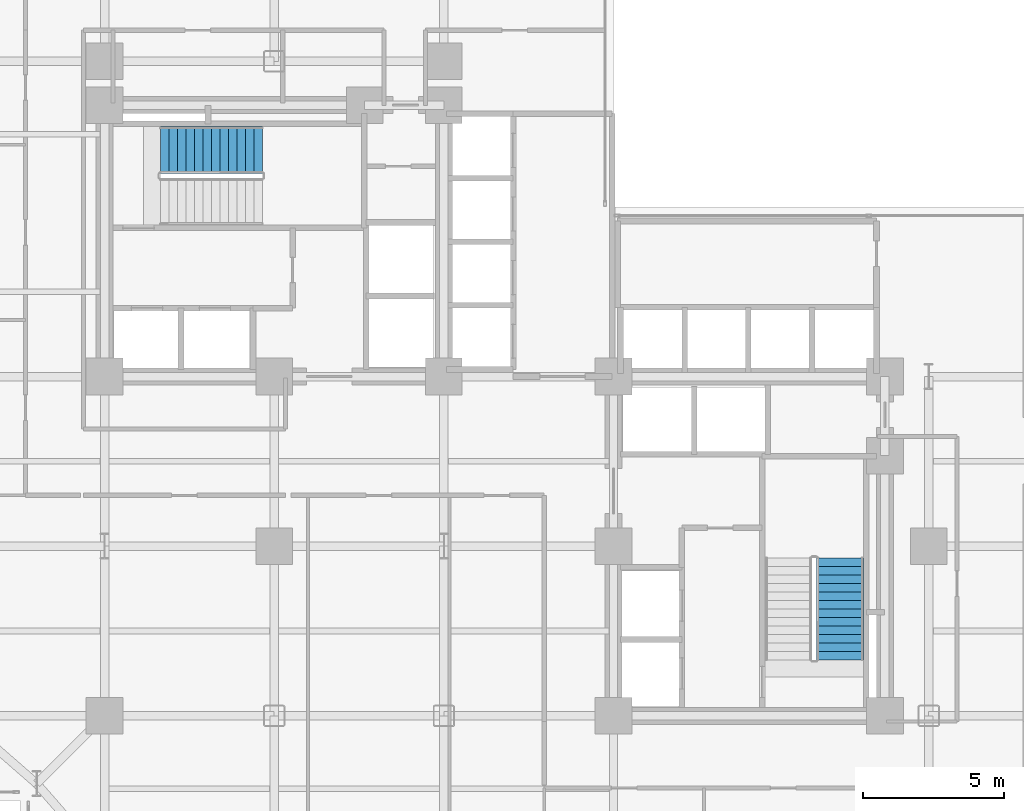
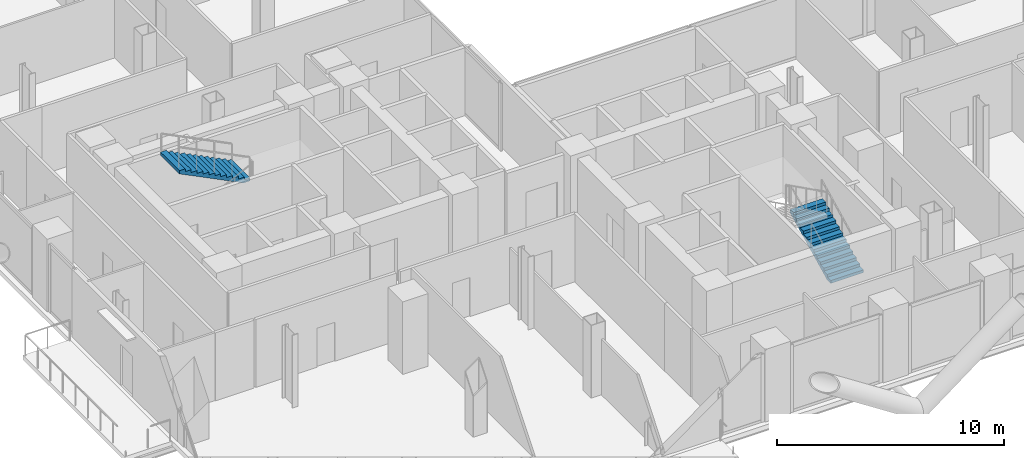
# One storey, part 23 of 25: 2 stair flights, 2 elements without a shape of their own.
"""IFC4 building model written with IfcOpenShell, lengths in metres."""

import ifcopenshell
import ifcopenshell.guid

model = None  # the IFC model being written
_history = None  # IfcOwnerHistory: only IFC2X3 demands one
_inside = {}  # id of a spatial element -> (the spatial element, [elements in it])
_under = {}  # id of a project, library or spatial element -> (it, [spatial elements below it])
_declared = {}  # id of a project -> (the project, [libraries it declares])
_typed = {}  # id of a type object -> (the type object, [elements of that type])
_made_of = {}  # id of a material, layer set ... -> (it, [elements and type objects made of it])


def new_model(schema):
    """Start an empty IFC model of exactly this schema.

    Asked for "IFC4X3", IfcOpenShell would pick the latest addendum, in which some entities
    have other attributes; the version numbers below select the first issue.
    IFC2X3 requires an IfcOwnerHistory on every rooted entity: one is made here for all.
    """
    global model, _history
    if schema == "IFC4X3":
        model = ifcopenshell.file(schema_version=(4, 3, 0, 0))
    else:
        model = ifcopenshell.file(schema=schema)
    _inside.clear()
    _under.clear()
    _declared.clear()
    _typed.clear()
    _made_of.clear()
    _history = None
    if model.schema == "IFC2X3":
        org = make("IfcOrganization", Name="unknown")
        user = make(
            "IfcPersonAndOrganization",
            ThePerson=make("IfcPerson", FamilyName="unknown"),
            TheOrganization=org,
        )
        app = make(
            "IfcApplication",
            ApplicationDeveloper=org,
            Version="unknown",
            ApplicationFullName="unknown",
            ApplicationIdentifier="unknown",
        )
        _history = make(
            "IfcOwnerHistory",
            OwningUser=user,
            OwningApplication=app,
            ChangeAction="ADDED",
            CreationDate=0,
        )
    return model


def make(cls, **values):
    """One entity of the class cls with the attributes given. An attribute that is None is left unset."""
    return model.create_entity(
        cls, **{name: value for name, value in values.items() if value is not None}
    )


def rooted(cls, **values):
    """An entity with a GlobalId (a new one), such as an element, a storey or a relation."""
    return make(cls, GlobalId=ifcopenshell.guid.new(), OwnerHistory=_history, **values)


def si_unit(unit_type, name, prefix=None):
    """IfcSIUnit, for example si_unit("LENGTHUNIT", "METRE", prefix="MILLI")."""
    return make("IfcSIUnit", UnitType=unit_type, Prefix=prefix, Name=name)


def assignment(units):
    """IfcUnitAssignment: the units of a project."""
    return None if units is None else make("IfcUnitAssignment", Units=units)


def point(xyz):
    """IfcCartesianPoint."""
    return None if xyz is None else make("IfcCartesianPoint", Coordinates=xyz)


def direction(xyz):
    """IfcDirection."""
    return None if xyz is None else make("IfcDirection", DirectionRatios=xyz)


def frame(location, z_axis=None, x_axis=None):
    """IfcAxis2Placement3D, a coordinate frame: its origin and axes. An axis left out is left unset."""
    return make(
        "IfcAxis2Placement3D",
        Location=point(location),
        Axis=direction(z_axis),
        RefDirection=direction(x_axis),
    )


def origin():
    """The frame at (0, 0, 0) with its axes left unset."""
    return frame((0.0, 0.0, 0.0))


def place(relative_to, where):
    """IfcLocalPlacement: puts the frame where relative to a parent placement (None: the world)."""
    return make(
        "IfcLocalPlacement", PlacementRelTo=relative_to, RelativePlacement=where
    )


def context(
    kind, dimensions, precision=None, world=None, true_north=None, identifier=None
):
    """IfcGeometricRepresentationContext, for example the 3D "Model" context."""
    return make(
        "IfcGeometricRepresentationContext",
        ContextIdentifier=identifier,
        ContextType=kind,
        CoordinateSpaceDimension=dimensions,
        Precision=precision,
        WorldCoordinateSystem=world,
        TrueNorth=true_north,
    )


def subcontext(parent, identifier, kind, view, scale=None):
    """IfcGeometricRepresentationSubContext, for example "Body" below "Model"."""
    return make(
        "IfcGeometricRepresentationSubContext",
        ContextIdentifier=identifier,
        ContextType=kind,
        ParentContext=parent,
        TargetScale=scale,
        TargetView=view,
    )


def project(units=None, contexts=None):
    """IfcProject with its units and contexts."""
    return rooted(
        "IfcProject",
        Name="project",
        RepresentationContexts=contexts,
        UnitsInContext=assignment(units),
    )


def spatial(cls, under=None, at=None, **own):
    """A site, building, storey or space (cls), placed at a placement, below another one or the project."""
    s = rooted(cls, ObjectPlacement=at, **own)
    if under is not None:
        _under.setdefault(under.id(), (under, []))[1].append(s)
    return s


def polyline(points):
    """IfcPolyline through the points."""
    return make("IfcPolyline", Points=[point(p) for p in points])


def outline(outer, holes=None, kind="AREA"):
    """IfcArbitraryClosedProfileDef: a profile drawn as a closed curve; with holes, ...WithVoids."""
    if holes is None:
        return make("IfcArbitraryClosedProfileDef", ProfileType=kind, OuterCurve=outer)
    return make(
        "IfcArbitraryProfileDefWithVoids",
        ProfileType=kind,
        OuterCurve=outer,
        InnerCurves=holes,
    )


def extrude(swept, where, along, depth):
    """IfcExtrudedAreaSolid: the profile swept, set in the frame where, extruded along a direction by depth."""
    return make(
        "IfcExtrudedAreaSolid",
        SweptArea=swept,
        Position=where,
        ExtrudedDirection=direction(along),
        Depth=depth,
    )


def shape(context_of_items, identifier, shape_type, items):
    """IfcShapeRepresentation: the items that make up one representation, for example the "Body"."""
    return make(
        "IfcShapeRepresentation",
        ContextOfItems=context_of_items,
        RepresentationIdentifier=identifier,
        RepresentationType=shape_type,
        Items=items,
    )


def material(Name=None, Category=None):
    """IfcMaterial."""
    return make("IfcMaterial", Name=Name, Category=Category)


def made_of(thing, what):
    """Note that an element or type object is made of a material, layer set ...; save() writes the relation."""
    if what is not None:
        _made_of.setdefault(what.id(), (what, []))[1].append(thing)
    return thing


def type_object(cls, material=None, **own):
    """A type object (cls), such as IfcWallType, which elements share."""
    return made_of(rooted(cls, **own), material)


def element(
    cls,
    number,
    at=None,
    inside=None,
    cuts=None,
    type_object=None,
    material=None,
    context=None,
    identifier="Body",
    shape_type=None,
    held_by="IfcProductDefinitionShape",
    body=None,
    shapes=None,
    **own,
):
    """One element of the class cls, such as IfcWall. Its Tag is "e" and its number.

    at: its placement. inside: the storey or other place that contains it. cuts: it is an
    opening in that element (IfcRelVoidsElement). A single representation is given by context,
    identifier, shape_type and body (its items); several are given by shapes. held_by: the class
    of the entity that holds the representations. save() writes the other relations.
    """
    e = rooted(cls, Tag="e%d" % number, ObjectPlacement=at, **own)
    if body is not None:
        shapes = [shape(context, identifier, shape_type, body)]
    if shapes is not None:
        e.Representation = make(held_by, Representations=shapes)
    if inside is not None:
        _inside.setdefault(inside.id(), (inside, []))[1].append(e)
    if cuts is not None:
        rooted(
            "IfcRelVoidsElement", RelatingBuildingElement=cuts, RelatedOpeningElement=e
        )
    if type_object is not None:
        _typed.setdefault(type_object.id(), (type_object, []))[1].append(e)
    return made_of(e, material)


def aggregate(whole, parts):
    """IfcRelAggregates: a whole, such as a stair, and the parts it consists of."""
    return rooted("IfcRelAggregates", RelatingObject=whole, RelatedObjects=parts)


def save(model, path):
    """Write the relations noted so far, then the file.

    IfcRelAggregates (storeys below a building ...), IfcRelContainedInSpatialStructure (elements
    in a storey), IfcRelDefinesByType, IfcRelAssociatesMaterial and IfcRelDeclares: one each for
    every whole, place, type object, material and project.
    """
    for whole, parts in _under.values():
        aggregate(whole, parts)
    for where, things in _inside.values():
        rooted(
            "IfcRelContainedInSpatialStructure",
            RelatedElements=things,
            RelatingStructure=where,
        )
    for kind, things in _typed.values():
        rooted("IfcRelDefinesByType", RelatedObjects=things, RelatingType=kind)
    for what, things in _made_of.values():
        rooted("IfcRelAssociatesMaterial", RelatedObjects=things, RelatingMaterial=what)
    for by, libraries in _declared.values():
        rooted("IfcRelDeclares", RelatingContext=by, RelatedDefinitions=libraries)
    model.write(path)


model = new_model("IFC4")

# Units and contexts
model_context = context("Model", 3, precision=1e-05, world=origin(), true_north=direction((0.0, 1.0)))
body_context = subcontext(model_context, "Body", "Model", "MODEL_VIEW")
ifc_project = project(units=[si_unit("LENGTHUNIT", "METRE"), si_unit("AREAUNIT", "SQUARE_METRE"), si_unit("VOLUMEUNIT", "CUBIC_METRE"), si_unit("PLANEANGLEUNIT", "RADIAN"), si_unit("MASSUNIT", "GRAM", prefix="KILO"), si_unit("THERMODYNAMICTEMPERATUREUNIT", "KELVIN"), si_unit("POWERUNIT", "WATT")], contexts=[model_context])

# Site, building, storey
site_placement = place(None, origin())
site = spatial("IfcSite", under=ifc_project, at=site_placement, CompositionType="ELEMENT")
building_placement = place(site_placement, origin())
building = spatial("IfcBuilding", under=site, at=building_placement, Name="Svarakhadi Broadcast Tower", CompositionType="ELEMENT")
storey_placement = place(building_placement, frame((0.0, 0.0, 32.39990234375)))
storey = spatial("IfcBuildingStorey", under=building, at=storey_placement, Name="L06", CompositionType="ELEMENT", Elevation=32.39990234375)

# Stair, stair flight
ifc_material = material(Name="Concrete C40/50 (IS 456 M50)", Category="concrete")
stair_type = type_object("IfcStairType", Name="Stair_Exit_Core", PredefinedType="HALF_TURN_STAIR", material=ifc_material)
stair_1_placement = place(storey_placement, origin())
stair_1 = element("IfcStair", 1, at=stair_1_placement, inside=storey, type_object=stair_type, Name="L06 West Core Protected Exit Stair ST-01", PredefinedType="HALF_TURN_STAIR")
stair_flight_type = type_object("IfcStairFlightType", Name="Flight_RC_1680", PredefinedType="STRAIGHT", material=ifc_material)
stair_flight_1_placement = place(storey_placement, frame((11.580078125, 26.010009765625, 1.9501953125), z_axis=(0.0, 0.0, 1.0), x_axis=(-1.0, 0.0, 0.0)))
stair_flight_1 = element("IfcStairFlight", 2, at=stair_flight_1_placement, type_object=stair_flight_type, Name="ST-01 flight 2", NumberOfRisers=13, NumberOfTreads=12, PredefinedType="STRAIGHT", RiserHeight=0.15, TreadLength=0.3, context=body_context, shape_type="SweptSolid", body=[
    extrude(outline(polyline([(0.0, 0.0), (0.0, 0.14990234375), (0.300048828125, 0.14990234375), (0.300048828125, 0.300048828125), (0.60009765625, 0.300048828125), (0.60009765625, 0.449951171875), (0.89990234375, 0.449951171875), (0.89990234375, 0.60009765625), (1.199951171875, 0.60009765625), (1.199951171875, 0.75), (1.5, 0.75), (1.5, 0.89990234375), (1.800048828125, 0.89990234375), (1.800048828125, 1.050048828125), (2.10009765625, 1.050048828125), (2.10009765625, 1.199951171875), (2.39990234375, 1.199951171875), (2.39990234375, 1.35009765625), (2.699951171875, 1.35009765625), (2.699951171875, 1.5), (3.0, 1.5), (3.0, 1.64990234375), (3.300048828125, 1.64990234375), (3.300048828125, 1.800048828125), (3.60009765625, 1.800048828125), (3.60009765625, 1.949951171875), (3.60009765625, 1.63232421875), (0.335205078125, 0.0), (0.0, 0.0)])), frame((0.0, 0.830078125, 0.0), z_axis=(0.0, -1.0, 0.0), x_axis=(1.0, 0.0, 0.0)), (0.0, 0.0, 1.0), 1.659912109375),
])
aggregate(stair_1, [stair_flight_1])

stair_2_placement = place(storey_placement, origin())
stair_2 = element("IfcStair", 3, at=stair_2_placement, inside=storey, type_object=stair_type, Name="L06 East Core Protected Exit Stair ST-02", PredefinedType="HALF_TURN_STAIR")
stair_flight_2_placement = place(storey_placement, frame((32.010009765625, 7.97998046875, 0.0), z_axis=(0.0, 0.0, 1.0), x_axis=(0.0, 1.0, 0.0)))
stair_flight_2 = element("IfcStairFlight", 4, at=stair_flight_2_placement, type_object=stair_flight_type, Name="ST-02 flight 1", NumberOfRisers=13, NumberOfTreads=12, PredefinedType="STRAIGHT", RiserHeight=0.15, TreadLength=0.3, context=body_context, shape_type="SweptSolid", body=[
    extrude(outline(polyline([(0.0, 0.0), (0.0, 0.14990234375), (0.300048828125, 0.14990234375), (0.300048828125, 0.300048828125), (0.60009765625, 0.300048828125), (0.60009765625, 0.449951171875), (0.89990234375, 0.449951171875), (0.89990234375, 0.60009765625), (1.199951171875, 0.60009765625), (1.199951171875, 0.75), (1.5, 0.75), (1.5, 0.89990234375), (1.800048828125, 0.89990234375), (1.800048828125, 1.050048828125), (2.10009765625, 1.050048828125), (2.10009765625, 1.199951171875), (2.39990234375, 1.199951171875), (2.39990234375, 1.35009765625), (2.699951171875, 1.35009765625), (2.699951171875, 1.5), (3.0, 1.5), (3.0, 1.64990234375), (3.300048828125, 1.64990234375), (3.300048828125, 1.800048828125), (3.60009765625, 1.800048828125), (3.60009765625, 1.949951171875), (3.60009765625, 1.63232421875), (0.335205078125, 0.0), (0.0, 0.0)])), frame((0.0, 0.830078125, 0.0), z_axis=(0.0, -1.0, 0.0), x_axis=(1.0, 0.0, 0.0)), (0.0, 0.0, 1.0), 1.659912109375),
])
aggregate(stair_2, [stair_flight_2])

save(model, "model.ifc")
